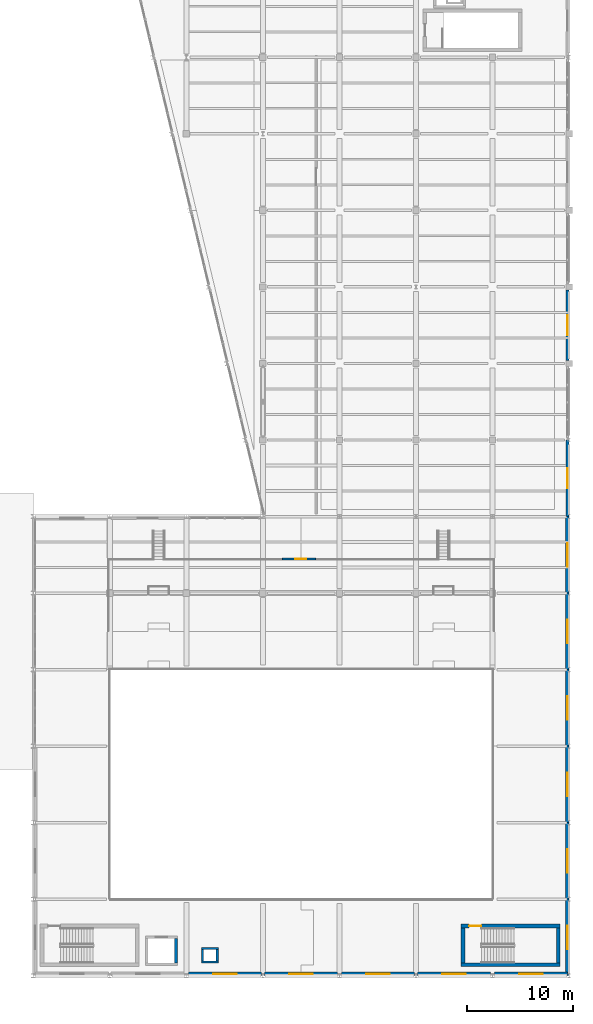
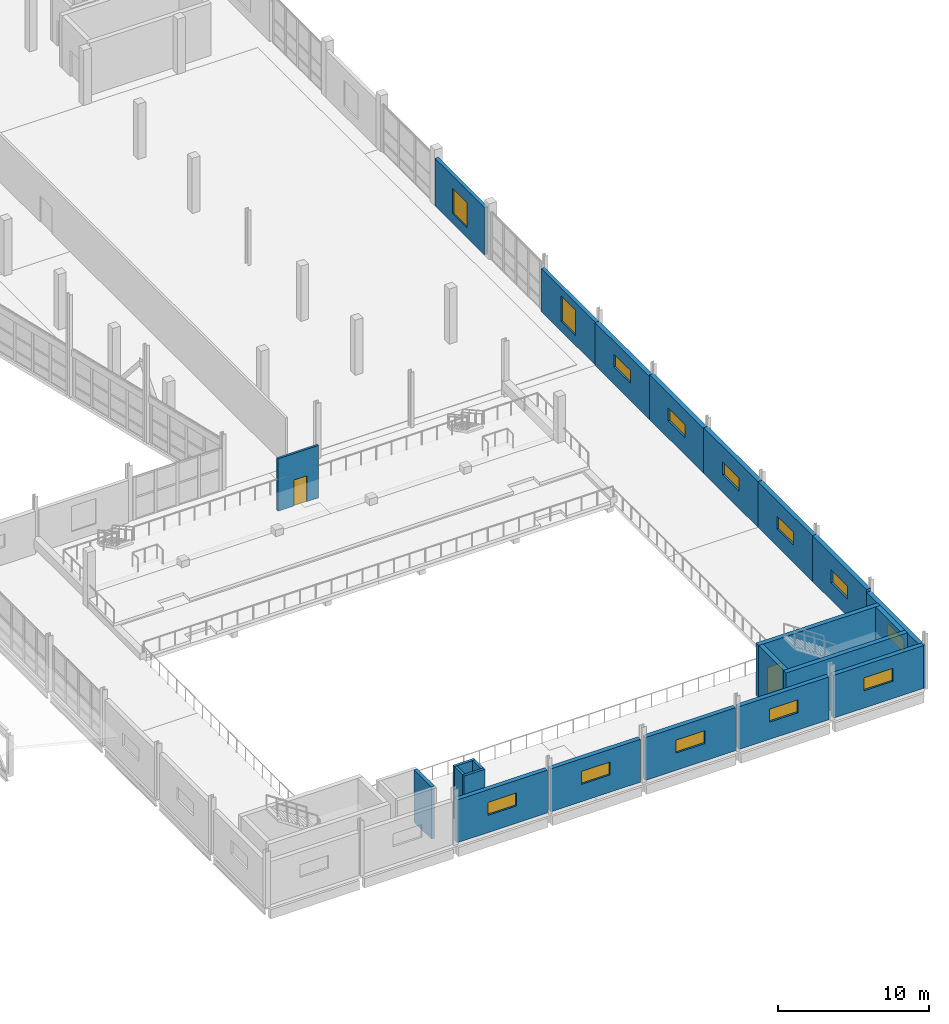
# One storey, part 97 of 123: 23 walls, 13 windows, 2 doors, 15 openings.
"""IFC4 building model written with IfcOpenShell, lengths in metres."""

from ifc_helpers import new_model, si_unit, direction, frame, frame_2d, origin, place, context, subcontext, project, spatial, rectangle, extrude, material, layer, layer_set, type_object, element, fill, save


model = new_model("IFC4")

# Units and contexts
model_context = context("Model", 3, precision=1e-05, world=origin(), true_north=direction((0.0, 1.0)))
body_context = subcontext(model_context, "Body", "Model", "MODEL_VIEW")
ifc_project = project(units=[si_unit("LENGTHUNIT", "METRE"), si_unit("AREAUNIT", "SQUARE_METRE"), si_unit("VOLUMEUNIT", "CUBIC_METRE"), si_unit("PLANEANGLEUNIT", "RADIAN"), si_unit("MASSUNIT", "GRAM", prefix="KILO")], contexts=[model_context])

# Site, building, storey
site_placement = place(None, origin())
site = spatial("IfcSite", under=ifc_project, at=site_placement, CompositionType="ELEMENT")
building_placement = place(site_placement, origin())
building = spatial("IfcBuilding", under=site, at=building_placement, Name="Kalmorath City Hall", CompositionType="ELEMENT")
storey_placement = place(building_placement, frame((0.0, 0.0, 10.199951171875)))
storey = spatial("IfcBuildingStorey", under=building, at=storey_placement, Name="L02", CompositionType="ELEMENT", Elevation=10.199951171875)

# Wall, opening, window
ifc_material_1 = material(Name="Precast concrete C40/50", Category="concrete")
ifc_layer_1 = layer(ifc_material_1, 0.340087890625)
ifc_layer_set_1 = layer_set([ifc_layer_1], Name="Precast concrete C40/50")
wall_type_1 = type_object("IfcWallType", Name="Chamber acoustic precast wall 340", PredefinedType="SOLIDWALL", material=ifc_layer_set_1)
wall_1_placement = place(storey_placement, frame((165.43994140625, 43.199951171875, 0.0), z_axis=(0.0, 0.0, 1.0), x_axis=(0.0, -1.0, 0.0)))
wall_1 = element("IfcWall", 1, at=wall_1_placement, inside=storey, type_object=wall_type_1, Name="L02 chamber acoustic wall #453", PredefinedType="SOLIDWALL", context=body_context, shape_type="SweptSolid", body=[
    extrude(rectangle(XDim=7.199951171875, YDim=0.340087890625, at=frame_2d((3.60009765625, 0.0))), origin(), (0.0, 0.0, 1.0), 3.470947265625),
])
opening_1_placement = place(wall_1_placement, frame((2.5, 0.0, 1.39990234375)))
opening_1 = element("IfcOpeningElement", 2, at=opening_1_placement, cuts=wall_1, Name="Opening WN12", PredefinedType="OPENING", context=body_context, shape_type="SweptSolid", body=[
    extrude(rectangle(XDim=2.199951171875, YDim=1.050048828125, at=frame_2d((1.10009765625, 0.52490234375))), frame((0.0, 0.179931640625, 0.0), z_axis=(0.0, -1.0, 0.0), x_axis=(1.0, 0.0, 0.0)), (0.0, 0.0, 1.0), 0.360107421875),
])
ifc_material_2 = material(Name="Acoustic laminated glass", Category="glass")
window_type_1 = type_object("IfcWindowType", Name="Chamber clerestory acoustic window 2200x1050", PartitioningType="SINGLE_PANEL", PredefinedType="WINDOW", material=ifc_material_2)
window_1_placement = place(opening_1_placement, origin())
window_1 = element("IfcWindow", 3, at=window_1_placement, inside=storey, type_object=window_type_1, Name="L02 window WN12-228", OverallHeight=1.050048828125, OverallWidth=2.199951171875, PartitioningType="SINGLE_PANEL", PredefinedType="WINDOW", context=body_context, shape_type="SweptSolid", body=[
    extrude(rectangle(XDim=2.199951171875, YDim=1.050048828125, at=frame_2d((1.10009765625, 0.52490234375))), frame((0.0, 0.030029296875, 0.0), z_axis=(0.0, -1.0, 0.0), x_axis=(1.0, 0.0, 0.0)), (0.0, 0.0, 1.0), 0.06005859375),
])
fill(opening_1, window_1)

wall_2_placement = place(storey_placement, frame((165.43994140625, 36.0, 0.0), z_axis=(0.0, 0.0, 1.0), x_axis=(0.0, -1.0, 0.0)))
wall_2 = element("IfcWall", 4, at=wall_2_placement, inside=storey, type_object=wall_type_1, Name="L02 chamber acoustic wall #454", PredefinedType="SOLIDWALL", context=body_context, shape_type="SweptSolid", body=[
    extrude(rectangle(XDim=7.199951171875, YDim=0.340087890625, at=frame_2d((3.60009765625, 0.0))), origin(), (0.0, 0.0, 1.0), 3.6181640625),
])
opening_2_placement = place(wall_2_placement, frame((2.5, 0.0, 1.39990234375)))
opening_2 = element("IfcOpeningElement", 5, at=opening_2_placement, cuts=wall_2, Name="Opening WN12", PredefinedType="OPENING", context=body_context, shape_type="SweptSolid", body=[
    extrude(rectangle(XDim=2.199951171875, YDim=1.050048828125, at=frame_2d((1.10009765625, 0.52490234375))), frame((0.0, 0.179931640625, 0.0), z_axis=(0.0, -1.0, 0.0), x_axis=(1.0, 0.0, 0.0)), (0.0, 0.0, 1.0), 0.360107421875),
])
window_2_placement = place(opening_2_placement, origin())
window_2 = element("IfcWindow", 6, at=window_2_placement, inside=storey, type_object=window_type_1, Name="L02 window WN12-229", OverallHeight=1.050048828125, OverallWidth=2.199951171875, PartitioningType="SINGLE_PANEL", PredefinedType="WINDOW", context=body_context, shape_type="SweptSolid", body=[
    extrude(rectangle(XDim=2.199951171875, YDim=1.050048828125, at=frame_2d((1.10009765625, 0.52490234375))), frame((0.0, 0.030029296875, 0.0), z_axis=(0.0, -1.0, 0.0), x_axis=(1.0, 0.0, 0.0)), (0.0, 0.0, 1.0), 0.06005859375),
])
fill(opening_2, window_2)

wall_3_placement = place(storey_placement, frame((165.43994140625, 28.800048828125, 0.0), z_axis=(0.0, 0.0, 1.0), x_axis=(0.0, -1.0, 0.0)))
wall_3 = element("IfcWall", 7, at=wall_3_placement, inside=storey, type_object=wall_type_1, Name="L02 chamber acoustic wall #455", PredefinedType="SOLIDWALL", context=body_context, shape_type="SweptSolid", body=[
    extrude(rectangle(XDim=7.199951171875, YDim=0.340087890625, at=frame_2d((3.60009765625, 0.0))), origin(), (0.0, 0.0, 1.0), 3.696044921875),
])
opening_3_placement = place(wall_3_placement, frame((2.5, 0.0, 1.39990234375)))
opening_3 = element("IfcOpeningElement", 8, at=opening_3_placement, cuts=wall_3, Name="Opening WN12", PredefinedType="OPENING", context=body_context, shape_type="SweptSolid", body=[
    extrude(rectangle(XDim=2.199951171875, YDim=1.050048828125, at=frame_2d((1.10009765625, 0.52490234375))), frame((0.0, 0.179931640625, 0.0), z_axis=(0.0, -1.0, 0.0), x_axis=(1.0, 0.0, 0.0)), (0.0, 0.0, 1.0), 0.360107421875),
])
window_3_placement = place(opening_3_placement, origin())
window_3 = element("IfcWindow", 9, at=window_3_placement, inside=storey, type_object=window_type_1, Name="L02 window WN12-230", OverallHeight=1.050048828125, OverallWidth=2.199951171875, PartitioningType="SINGLE_PANEL", PredefinedType="WINDOW", context=body_context, shape_type="SweptSolid", body=[
    extrude(rectangle(XDim=2.199951171875, YDim=1.050048828125, at=frame_2d((1.10009765625, 0.52490234375))), frame((0.0, 0.030029296875, 0.0), z_axis=(0.0, -1.0, 0.0), x_axis=(1.0, 0.0, 0.0)), (0.0, 0.0, 1.0), 0.06005859375),
])
fill(opening_3, window_3)

wall_4_placement = place(storey_placement, frame((165.43994140625, 21.60009765625, 0.0), z_axis=(0.0, 0.0, 1.0), x_axis=(0.0, -1.0, 0.0)))
wall_4 = element("IfcWall", 10, at=wall_4_placement, inside=storey, type_object=wall_type_1, Name="L02 chamber acoustic wall #456", PredefinedType="SOLIDWALL", context=body_context, shape_type="SweptSolid", body=[
    extrude(rectangle(XDim=7.2001953125, YDim=0.340087890625, at=frame_2d((3.60009765625, 0.0))), origin(), (0.0, 0.0, 1.0), 3.696044921875),
])
opening_4_placement = place(wall_4_placement, frame((2.5, 0.0, 1.39990234375)))
opening_4 = element("IfcOpeningElement", 11, at=opening_4_placement, cuts=wall_4, Name="Opening WN12", PredefinedType="OPENING", context=body_context, shape_type="SweptSolid", body=[
    extrude(rectangle(XDim=2.199951171875, YDim=1.050048828125, at=frame_2d((1.10009765625, 0.52490234375))), frame((0.0, 0.179931640625, 0.0), z_axis=(0.0, -1.0, 0.0), x_axis=(1.0, 0.0, 0.0)), (0.0, 0.0, 1.0), 0.360107421875),
])
window_4_placement = place(opening_4_placement, origin())
window_4 = element("IfcWindow", 12, at=window_4_placement, inside=storey, type_object=window_type_1, Name="L02 window WN12-231", OverallHeight=1.050048828125, OverallWidth=2.199951171875, PartitioningType="SINGLE_PANEL", PredefinedType="WINDOW", context=body_context, shape_type="SweptSolid", body=[
    extrude(rectangle(XDim=2.199951171875, YDim=1.050048828125, at=frame_2d((1.10009765625, 0.52490234375))), frame((0.0, 0.030029296875, 0.0), z_axis=(0.0, -1.0, 0.0), x_axis=(1.0, 0.0, 0.0)), (0.0, 0.0, 1.0), 0.06005859375),
])
fill(opening_4, window_4)

wall_5_placement = place(storey_placement, frame((165.43994140625, 14.39990234375, 0.0), z_axis=(0.0, 0.0, 1.0), x_axis=(0.0, -1.0, 0.0)))
wall_5 = element("IfcWall", 13, at=wall_5_placement, inside=storey, type_object=wall_type_1, Name="L02 chamber acoustic wall #457", PredefinedType="SOLIDWALL", context=body_context, shape_type="SweptSolid", body=[
    extrude(rectangle(XDim=7.199951171875, YDim=0.340087890625, at=frame_2d((3.60009765625, 0.0))), origin(), (0.0, 0.0, 1.0), 3.696044921875),
])
opening_5_placement = place(wall_5_placement, frame((2.5, 0.0, 1.39990234375)))
opening_5 = element("IfcOpeningElement", 14, at=opening_5_placement, cuts=wall_5, Name="Opening WN12", PredefinedType="OPENING", context=body_context, shape_type="SweptSolid", body=[
    extrude(rectangle(XDim=2.199951171875, YDim=1.050048828125, at=frame_2d((1.10009765625, 0.52490234375))), frame((0.0, 0.179931640625, 0.0), z_axis=(0.0, -1.0, 0.0), x_axis=(1.0, 0.0, 0.0)), (0.0, 0.0, 1.0), 0.360107421875),
])
window_5_placement = place(opening_5_placement, origin())
window_5 = element("IfcWindow", 15, at=window_5_placement, inside=storey, type_object=window_type_1, Name="L02 window WN12-232", OverallHeight=1.050048828125, OverallWidth=2.199951171875, PartitioningType="SINGLE_PANEL", PredefinedType="WINDOW", context=body_context, shape_type="SweptSolid", body=[
    extrude(rectangle(XDim=2.199951171875, YDim=1.050048828125, at=frame_2d((1.10009765625, 0.52490234375))), frame((0.0, 0.030029296875, 0.0), z_axis=(0.0, -1.0, 0.0), x_axis=(1.0, 0.0, 0.0)), (0.0, 0.0, 1.0), 0.06005859375),
])
fill(opening_5, window_5)

wall_6_placement = place(storey_placement, frame((165.43994140625, 7.199951171875, 0.0), z_axis=(0.0, 0.0, 1.0), x_axis=(0.0, -1.0, 0.0)))
wall_6 = element("IfcWall", 16, at=wall_6_placement, inside=storey, type_object=wall_type_1, Name="L02 chamber acoustic wall #458", PredefinedType="SOLIDWALL", context=body_context, shape_type="SweptSolid", body=[
    extrude(rectangle(XDim=7.199951171875, YDim=0.340087890625, at=frame_2d((3.60009765625, 0.0))), origin(), (0.0, 0.0, 1.0), 3.470947265625),
])
opening_6_placement = place(wall_6_placement, frame((2.5, 0.0, 1.39990234375)))
opening_6 = element("IfcOpeningElement", 17, at=opening_6_placement, cuts=wall_6, Name="Opening WN12", PredefinedType="OPENING", context=body_context, shape_type="SweptSolid", body=[
    extrude(rectangle(XDim=2.199951171875, YDim=1.050048828125, at=frame_2d((1.10009765625, 0.52490234375))), frame((0.0, 0.179931640625, 0.0), z_axis=(0.0, -1.0, 0.0), x_axis=(1.0, 0.0, 0.0)), (0.0, 0.0, 1.0), 0.360107421875),
])
window_6_placement = place(opening_6_placement, origin())
window_6 = element("IfcWindow", 18, at=window_6_placement, inside=storey, type_object=window_type_1, Name="L02 window WN12-233", OverallHeight=1.050048828125, OverallWidth=2.199951171875, PartitioningType="SINGLE_PANEL", PredefinedType="WINDOW", context=body_context, shape_type="SweptSolid", body=[
    extrude(rectangle(XDim=2.199951171875, YDim=1.050048828125, at=frame_2d((1.10009765625, 0.52490234375))), frame((0.0, 0.030029296875, 0.0), z_axis=(0.0, -1.0, 0.0), x_axis=(1.0, 0.0, 0.0)), (0.0, 0.0, 1.0), 0.06005859375),
])
fill(opening_6, window_6)

wall_7_placement = place(storey_placement, frame((165.470947265625, 0.159912109375, 0.0), z_axis=(0.0, 0.0, 1.0), x_axis=(-1.0, 0.0, 0.0)))
wall_7 = element("IfcWall", 19, at=wall_7_placement, inside=storey, type_object=wall_type_1, Name="L02 chamber acoustic wall #459", PredefinedType="SOLIDWALL", context=body_context, shape_type="SweptSolid", body=[
    extrude(rectangle(XDim=6.885498046875, YDim=0.340087890625, at=frame_2d((3.44287109375, 0.0))), origin(), (0.0, 0.0, 1.0), 3.470947265625),
])
opening_7_placement = place(wall_7_placement, frame((2.3427734375, 0.0, 1.39990234375)))
opening_7 = element("IfcOpeningElement", 20, at=opening_7_placement, cuts=wall_7, Name="Opening WN12", PredefinedType="OPENING", context=body_context, shape_type="SweptSolid", body=[
    extrude(rectangle(XDim=2.199951171875, YDim=1.050048828125, at=frame_2d((1.10009765625, 0.52490234375))), frame((0.0, 0.179931640625, 0.0), z_axis=(0.0, -1.0, 0.0), x_axis=(1.0, 0.0, 0.0)), (0.0, 0.0, 1.0), 0.360107421875),
])
window_7_placement = place(opening_7_placement, origin())
window_7 = element("IfcWindow", 21, at=window_7_placement, inside=storey, type_object=window_type_1, Name="L02 window WN12-234", OverallHeight=1.050048828125, OverallWidth=2.199951171875, PartitioningType="SINGLE_PANEL", PredefinedType="WINDOW", context=body_context, shape_type="SweptSolid", body=[
    extrude(rectangle(XDim=2.199951171875, YDim=1.050048828125, at=frame_2d((1.10009765625, 0.52490234375))), frame((0.0, 0.030029296875, 0.0), z_axis=(0.0, -1.0, 0.0), x_axis=(1.0, 0.0, 0.0)), (0.0, 0.0, 1.0), 0.06005859375),
])
fill(opening_7, window_7)

wall_8_placement = place(storey_placement, frame((158.214599609375, 0.159912109375, 0.0), z_axis=(0.0, 0.0, 1.0), x_axis=(-1.0, 0.0, 0.0)))
wall_8 = element("IfcWall", 22, at=wall_8_placement, inside=storey, type_object=wall_type_1, Name="L02 chamber acoustic wall #460", PredefinedType="SOLIDWALL", context=body_context, shape_type="SweptSolid", body=[
    extrude(rectangle(XDim=6.885498046875, YDim=0.340087890625, at=frame_2d((3.44287109375, 0.0))), origin(), (0.0, 0.0, 1.0), 3.470947265625),
])
opening_8_placement = place(wall_8_placement, frame((2.3427734375, 0.0, 1.39990234375)))
opening_8 = element("IfcOpeningElement", 23, at=opening_8_placement, cuts=wall_8, Name="Opening WN12", PredefinedType="OPENING", context=body_context, shape_type="SweptSolid", body=[
    extrude(rectangle(XDim=2.199951171875, YDim=1.050048828125, at=frame_2d((1.10009765625, 0.52490234375))), frame((0.0, 0.179931640625, 0.0), z_axis=(0.0, -1.0, 0.0), x_axis=(1.0, 0.0, 0.0)), (0.0, 0.0, 1.0), 0.360107421875),
])
window_8_placement = place(opening_8_placement, origin())
window_8 = element("IfcWindow", 24, at=window_8_placement, inside=storey, type_object=window_type_1, Name="L02 window WN12-235", OverallHeight=1.050048828125, OverallWidth=2.199951171875, PartitioningType="SINGLE_PANEL", PredefinedType="WINDOW", context=body_context, shape_type="SweptSolid", body=[
    extrude(rectangle(XDim=2.199951171875, YDim=1.050048828125, at=frame_2d((1.10009765625, 0.52490234375))), frame((0.0, 0.030029296875, 0.0), z_axis=(0.0, -1.0, 0.0), x_axis=(1.0, 0.0, 0.0)), (0.0, 0.0, 1.0), 0.06005859375),
])
fill(opening_8, window_8)

wall_9_placement = place(storey_placement, frame((151.071044921875, 0.159912109375, 0.0), z_axis=(0.0, 0.0, 1.0), x_axis=(-1.0, 0.0, 0.0)))
wall_9 = element("IfcWall", 25, at=wall_9_placement, inside=storey, type_object=wall_type_1, Name="L02 chamber acoustic wall #461", PredefinedType="SOLIDWALL", context=body_context, shape_type="SweptSolid", body=[
    extrude(rectangle(XDim=6.885498046875, YDim=0.340087890625, at=frame_2d((3.44287109375, 0.0))), origin(), (0.0, 0.0, 1.0), 3.470947265625),
])
opening_9_placement = place(wall_9_placement, frame((2.3427734375, 0.0, 1.39990234375)))
opening_9 = element("IfcOpeningElement", 26, at=opening_9_placement, cuts=wall_9, Name="Opening WN12", PredefinedType="OPENING", context=body_context, shape_type="SweptSolid", body=[
    extrude(rectangle(XDim=2.199951171875, YDim=1.050048828125, at=frame_2d((1.10009765625, 0.52490234375))), frame((0.0, 0.179931640625, 0.0), z_axis=(0.0, -1.0, 0.0), x_axis=(1.0, 0.0, 0.0)), (0.0, 0.0, 1.0), 0.360107421875),
])
window_9_placement = place(opening_9_placement, origin())
window_9 = element("IfcWindow", 27, at=window_9_placement, inside=storey, type_object=window_type_1, Name="L02 window WN12-236", OverallHeight=1.050048828125, OverallWidth=2.199951171875, PartitioningType="SINGLE_PANEL", PredefinedType="WINDOW", context=body_context, shape_type="SweptSolid", body=[
    extrude(rectangle(XDim=2.199951171875, YDim=1.050048828125, at=frame_2d((1.10009765625, 0.52490234375))), frame((0.0, 0.030029296875, 0.0), z_axis=(0.0, -1.0, 0.0), x_axis=(1.0, 0.0, 0.0)), (0.0, 0.0, 1.0), 0.06005859375),
])
fill(opening_9, window_9)

wall_10_placement = place(storey_placement, frame((143.814453125, 0.159912109375, 0.0), z_axis=(0.0, 0.0, 1.0), x_axis=(-1.0, 0.0, 0.0)))
wall_10 = element("IfcWall", 28, at=wall_10_placement, inside=storey, type_object=wall_type_1, Name="L02 chamber acoustic wall #462", PredefinedType="SOLIDWALL", context=body_context, shape_type="SweptSolid", body=[
    extrude(rectangle(XDim=6.885498046875, YDim=0.340087890625, at=frame_2d((3.44287109375, 0.0))), origin(), (0.0, 0.0, 1.0), 3.470947265625),
])
opening_10_placement = place(wall_10_placement, frame((2.3427734375, 0.0, 1.39990234375)))
opening_10 = element("IfcOpeningElement", 29, at=opening_10_placement, cuts=wall_10, Name="Opening WN12", PredefinedType="OPENING", context=body_context, shape_type="SweptSolid", body=[
    extrude(rectangle(XDim=2.199951171875, YDim=1.050048828125, at=frame_2d((1.10009765625, 0.52490234375))), frame((0.0, 0.179931640625, 0.0), z_axis=(0.0, -1.0, 0.0), x_axis=(1.0, 0.0, 0.0)), (0.0, 0.0, 1.0), 0.360107421875),
])
window_10_placement = place(opening_10_placement, origin())
window_10 = element("IfcWindow", 30, at=window_10_placement, inside=storey, type_object=window_type_1, Name="L02 window WN12-237", OverallHeight=1.050048828125, OverallWidth=2.199951171875, PartitioningType="SINGLE_PANEL", PredefinedType="WINDOW", context=body_context, shape_type="SweptSolid", body=[
    extrude(rectangle(XDim=2.199951171875, YDim=1.050048828125, at=frame_2d((1.10009765625, 0.52490234375))), frame((0.0, 0.030029296875, 0.0), z_axis=(0.0, -1.0, 0.0), x_axis=(1.0, 0.0, 0.0)), (0.0, 0.0, 1.0), 0.06005859375),
])
fill(opening_10, window_10)

wall_11_placement = place(storey_placement, frame((136.6708984375, 0.159912109375, 0.0), z_axis=(0.0, 0.0, 1.0), x_axis=(-1.0, 0.0, 0.0)))
wall_11 = element("IfcWall", 31, at=wall_11_placement, inside=storey, type_object=wall_type_1, Name="L02 chamber acoustic wall #463", PredefinedType="SOLIDWALL", context=body_context, shape_type="SweptSolid", body=[
    extrude(rectangle(XDim=6.885498046875, YDim=0.340087890625, at=frame_2d((3.44287109375, 0.0))), origin(), (0.0, 0.0, 1.0), 3.470947265625),
])
opening_11_placement = place(wall_11_placement, frame((2.3427734375, 0.0, 1.39990234375)))
opening_11 = element("IfcOpeningElement", 32, at=opening_11_placement, cuts=wall_11, Name="Opening WN12", PredefinedType="OPENING", context=body_context, shape_type="SweptSolid", body=[
    extrude(rectangle(XDim=2.199951171875, YDim=1.050048828125, at=frame_2d((1.10009765625, 0.52490234375))), frame((0.0, 0.179931640625, 0.0), z_axis=(0.0, -1.0, 0.0), x_axis=(1.0, 0.0, 0.0)), (0.0, 0.0, 1.0), 0.360107421875),
])
window_11_placement = place(opening_11_placement, origin())
window_11 = element("IfcWindow", 33, at=window_11_placement, inside=storey, type_object=window_type_1, Name="L02 window WN12-238", OverallHeight=1.050048828125, OverallWidth=2.199951171875, PartitioningType="SINGLE_PANEL", PredefinedType="WINDOW", context=body_context, shape_type="SweptSolid", body=[
    extrude(rectangle(XDim=2.199951171875, YDim=1.050048828125, at=frame_2d((1.10009765625, 0.52490234375))), frame((0.0, 0.030029296875, 0.0), z_axis=(0.0, -1.0, 0.0), x_axis=(1.0, 0.0, 0.0)), (0.0, 0.0, 1.0), 0.06005859375),
])
fill(opening_11, window_11)

# Wall, opening, door
ifc_material_3 = material(Name="High-STC double-stud acoustic partition")
ifc_layer_2 = layer(ifc_material_3, 0.1650390625)
ifc_layer_set_2 = layer_set([ifc_layer_2], Name="High-STC double-stud acoustic partition")
wall_type_2 = type_object("IfcWallType", Name="Chamber and committee acoustic partition 165", PredefinedType="PARTITIONING", material=ifc_layer_set_2)
wall_12_placement = place(storey_placement, frame((138.639892578125, 39.199951171875, 0.0), z_axis=(0.0, 0.0, 1.0), x_axis=(1.0, 0.0, 0.0)))
wall_12 = element("IfcWall", 34, at=wall_12_placement, inside=storey, type_object=wall_type_2, Name="L02 interior partition PW3 #119", PredefinedType="PARTITIONING", context=body_context, shape_type="SweptSolid", body=[
    extrude(rectangle(XDim=3.1201171875, YDim=0.1650390625, at=frame_2d((1.56005859375, 0.0))), origin(), (0.0, 0.0, 1.0), 4.239990234375),
])
opening_12_placement = place(wall_12_placement, frame((1.219970703125, 0.0, 0.0)))
opening_12 = element("IfcOpeningElement", 35, at=opening_12_placement, cuts=wall_12, Name="Opening D-L02-197", PredefinedType="OPENING", context=body_context, shape_type="SweptSolid", body=[
    extrude(rectangle(XDim=1.0, YDim=2.10009765625, at=frame_2d((0.5, 1.050048828125))), frame((0.0, 0.092529296875, 0.0), z_axis=(0.0, -1.0, 0.0), x_axis=(1.0, 0.0, 0.0)), (0.0, 0.0, 1.0), 0.18505859375),
])
ifc_material_4 = material(Name="Hardwood fire door", Category="wood")
door_type_1 = type_object("IfcDoorType", Name="Corridor 60-min fire door 1000x2100", OperationType="NOTDEFINED", PredefinedType="DOOR", material=ifc_material_4)
door_1_placement = place(opening_12_placement, origin())
door_1 = element("IfcDoor", 36, at=door_1_placement, inside=storey, type_object=door_type_1, Name="L02 door D-L02-197", OperationType="SINGLE_SWING_LEFT", OverallHeight=2.10009765625, OverallWidth=1.0, PredefinedType="DOOR", context=body_context, shape_type="SweptSolid", body=[
    extrude(rectangle(XDim=1.0, YDim=2.10009765625, at=frame_2d((0.5, 1.050048828125))), frame((0.0, 0.02490234375, 0.0), z_axis=(0.0, -1.0, 0.0), x_axis=(1.0, 0.0, 0.0)), (0.0, 0.0, 1.0), 0.050048828125),
])
fill(opening_12, door_1)

# Wall
ifc_material_5 = material(Name="Concrete C50/60", Category="concrete")
ifc_layer_3 = layer(ifc_material_5, 0.35009765625)
ifc_layer_set_3 = layer_set([ifc_layer_3], Name="Concrete C50/60")
wall_type_3 = type_object("IfcWallType", Name="Concrete core shear wall 350", PredefinedType="SHEAR", material=ifc_layer_set_3)
wall_13_placement = place(storey_placement, frame((155.449951171875, 1.02490234375, 0.0), z_axis=(0.0, 0.0, 1.0), x_axis=(1.0, 0.0, 0.0)))
element("IfcWall", 37, at=wall_13_placement, inside=storey, type_object=wall_type_3, Name="L02 C7 stair core shear wall S", PredefinedType="SHEAR", context=body_context, shape_type="SweptSolid", body=[
    extrude(rectangle(XDim=9.300048828125, YDim=0.35009765625, at=frame_2d((4.64990234375, 0.0))), origin(), (0.0, 0.0, 1.0), 4.239990234375),
])

# Wall, opening, door
wall_14_placement = place(storey_placement, frame((164.75, 4.675048828125, 0.0), z_axis=(0.0, 0.0, 1.0), x_axis=(-1.0, 0.0, 0.0)))
wall_14 = element("IfcWall", 38, at=wall_14_placement, inside=storey, type_object=wall_type_3, Name="L02 C7 stair core shear wall N", PredefinedType="SHEAR", context=body_context, shape_type="SweptSolid", body=[
    extrude(rectangle(XDim=9.300048828125, YDim=0.35009765625, at=frame_2d((4.64990234375, 0.0))), origin(), (0.0, 0.0, 1.0), 4.239990234375),
])
opening_13_placement = place(wall_14_placement, frame((7.39990234375, 0.0, 0.0)))
opening_13 = element("IfcOpeningElement", 39, at=opening_13_placement, cuts=wall_14, Name="Opening D-L02-106", PredefinedType="OPENING", context=body_context, shape_type="SweptSolid", body=[
    extrude(rectangle(XDim=1.14990234375, YDim=2.10009765625, at=frame_2d((0.574951171875, 1.050048828125))), frame((0.0, 0.18505859375, 0.0), z_axis=(0.0, -1.0, 0.0), x_axis=(1.0, 0.0, 0.0)), (0.0, 0.0, 1.0), 0.3701171875),
])
ifc_material_6 = material(Name="Galvanised steel fire door", Category="steel")
door_type_2 = type_object("IfcDoorType", Name="Stair enclosure 90-min fire door 1150x2100", OperationType="NOTDEFINED", PredefinedType="DOOR", material=ifc_material_6)
door_2_placement = place(opening_13_placement, frame((1.14990234375, 0.0, 0.0), z_axis=(0.0, 0.0, 1.0), x_axis=(-1.0, 0.0, 0.0)))
door_2 = element("IfcDoor", 40, at=door_2_placement, inside=storey, type_object=door_type_2, Name="L02 door D-L02-106", OperationType="SINGLE_SWING_RIGHT", OverallHeight=2.10009765625, OverallWidth=1.14990234375, PredefinedType="DOOR", context=body_context, shape_type="SweptSolid", body=[
    extrude(rectangle(XDim=1.14990234375, YDim=2.10009765625, at=frame_2d((0.574951171875, 1.050048828125))), frame((0.0, 0.02490234375, 0.0), z_axis=(0.0, -1.0, 0.0), x_axis=(1.0, 0.0, 0.0)), (0.0, 0.0, 1.0), 0.050048828125),
])
fill(opening_13, door_2)

# Walls
for number, where, z_axis, x_axis, name in (
    (41, (155.625, 4.5, 0.0), (0.0, 0.0, 1.0), (0.0, -1.0, 0.0), "L02 C7 stair core shear wall W"),
    (42, (164.574951171875, 1.199951171875, 0.0), (0.0, 0.0, 1.0), (0.0, 1.0, 0.0), "L02 C7 stair core shear wall E"),
):
    element("IfcWall", number, at=place(storey_placement, frame(where, z_axis=z_axis, x_axis=x_axis)), inside=storey, type_object=wall_type_3, Name=name, PredefinedType="SHEAR", context=body_context, shape_type="SweptSolid", body=[
        extrude(rectangle(XDim=3.300048828125, YDim=0.35009765625, at=frame_2d((1.64990234375, 0.0))), origin(), (0.0, 0.0, 1.0), 4.239990234375),
    ])
ifc_material_7 = material(Name="Concrete C50/60", Category="concrete")
ifc_layer_4 = layer(ifc_material_7, 0.25)
ifc_layer_set_4 = layer_set([ifc_layer_4], Name="Concrete C50/60")
wall_type_4 = type_object("IfcWallType", Name="Concrete lift shaft wall 250", PredefinedType="SHEAR", material=ifc_layer_set_4)
wall_15_placement = place(storey_placement, frame((128.625, 1.199951171875, 0.0), z_axis=(0.0, 0.0, 1.0), x_axis=(0.0, 1.0, 0.0)))
element("IfcWall", 43, at=wall_15_placement, inside=storey, type_object=wall_type_4, Name="L02 PL5 lift shaft wall +x", PredefinedType="SHEAR", context=body_context, shape_type="SweptSolid", body=[
    extrude(rectangle(XDim=2.300048828125, YDim=0.25, at=frame_2d((1.14990234375, 0.0))), origin(), (0.0, 0.0, 1.0), 4.239990234375),
])
ifc_material_8 = material(Name="Concrete C40/50", Category="concrete")
ifc_layer_5 = layer(ifc_material_8, 0.199951171875)
ifc_layer_set_5 = layer_set([ifc_layer_5], Name="Concrete C40/50")
wall_type_5 = type_object("IfcWallType", Name="Concrete service riser wall 200", PredefinedType="SOLIDWALL", material=ifc_layer_set_5)
for number, where, z_axis, x_axis, name in (
    (44, (131.0, 1.300048828125, 0.0), (0.0, 0.0, 1.0), (1.0, 0.0, 0.0), "L02 RSR-3 riser shaft wall S"),
    (45, (132.60009765625, 2.580078125, 0.0), (0.0, 0.0, 1.0), (-1.0, 0.0, 0.0), "L02 RSR-3 riser shaft wall N"),
):
    element("IfcWall", number, at=place(storey_placement, frame(where, z_axis=z_axis, x_axis=x_axis)), inside=storey, type_object=wall_type_5, Name=name, PredefinedType="SOLIDWALL", context=body_context, shape_type="SweptSolid", body=[
        extrude(rectangle(XDim=1.60009765625, YDim=0.199951171875, at=frame_2d((0.800048828125, 0.0))), origin(), (0.0, 0.0, 1.0), 4.239990234375),
    ])
for number, where, z_axis, x_axis, name in (
    (46, (131.10009765625, 2.47998046875, 0.0), (0.0, 0.0, 1.0), (0.0, -1.0, 0.0), "L02 RSR-3 riser shaft wall W"),
    (47, (132.5, 1.39990234375, 0.0), (0.0, 0.0, 1.0), (0.0, 1.0, 0.0), "L02 RSR-3 riser shaft wall E"),
):
    element("IfcWall", number, at=place(storey_placement, frame(where, z_axis=z_axis, x_axis=x_axis)), inside=storey, type_object=wall_type_5, Name=name, PredefinedType="SOLIDWALL", context=body_context, shape_type="SweptSolid", body=[
        extrude(rectangle(XDim=1.080078125, YDim=0.199951171875, at=frame_2d((0.5400390625, 0.0))), origin(), (0.0, 0.0, 1.0), 4.239990234375),
    ])

# Wall, opening, window
ifc_material_9 = material(Name="Precast concrete C40/50", Category="concrete")
ifc_layer_6 = layer(ifc_material_9, 0.27001953125)
ifc_layer_set_6 = layer_set([ifc_layer_6], Name="Precast concrete C40/50")
wall_type_6 = type_object("IfcWallType", Name="Library splayed facade wall 270", PredefinedType="SOLIDWALL", material=ifc_layer_set_6)
wall_16_placement = place(storey_placement, frame((165.43994140625, 64.4990234375, 0.0), z_axis=(0.0, 0.0, 1.0), x_axis=(0.0, -1.0, 0.0)))
wall_16 = element("IfcWall", 48, at=wall_16_placement, inside=storey, type_object=wall_type_6, Name="L02 library wall #451", PredefinedType="SOLIDWALL", context=body_context, shape_type="SweptSolid", body=[
    extrude(rectangle(XDim=6.59814453125, YDim=0.27001953125, at=frame_2d((3.299072265625, 0.0))), origin(), (0.0, 0.0, 1.0), 3.8349609375),
])
opening_14_placement = place(wall_16_placement, frame((2.34912109375, 0.0, 0.800048828125)))
opening_14 = element("IfcOpeningElement", 49, at=opening_14_placement, cuts=wall_16, Name="Opening WN14", PredefinedType="OPENING", context=body_context, shape_type="SweptSolid", body=[
    extrude(rectangle(XDim=1.89990234375, YDim=2.050048828125, at=frame_2d((0.949951171875, 1.02490234375))), frame((0.0, 0.14501953125, 0.0), z_axis=(0.0, -1.0, 0.0), x_axis=(1.0, 0.0, 0.0)), (0.0, 0.0, 1.0), 0.2900390625),
])
ifc_material_10 = material(Name="Bronze-anodised aluminium and glass", Category="aluminium")
window_type_2 = type_object("IfcWindowType", Name="Library reading alcove window 1900x2050", PartitioningType="SINGLE_PANEL", PredefinedType="WINDOW", material=ifc_material_10)
window_12_placement = place(opening_14_placement, origin())
window_12 = element("IfcWindow", 50, at=window_12_placement, inside=storey, type_object=window_type_2, Name="L02 window WN14-226", OverallHeight=2.050048828125, OverallWidth=1.89990234375, PartitioningType="SINGLE_PANEL", PredefinedType="WINDOW", context=body_context, shape_type="SweptSolid", body=[
    extrude(rectangle(XDim=1.89990234375, YDim=2.050048828125, at=frame_2d((0.949951171875, 1.02490234375))), frame((0.0, 0.030029296875, 0.0), z_axis=(0.0, -1.0, 0.0), x_axis=(1.0, 0.0, 0.0)), (0.0, 0.0, 1.0), 0.06005859375),
])
fill(opening_14, window_12)

wall_17_placement = place(storey_placement, frame((165.43994140625, 50.39990234375, 0.0), z_axis=(0.0, 0.0, 1.0), x_axis=(0.0, -1.0, 0.0)))
wall_17 = element("IfcWall", 51, at=wall_17_placement, inside=storey, type_object=wall_type_6, Name="L02 library wall #452", PredefinedType="SOLIDWALL", context=body_context, shape_type="SweptSolid", body=[
    extrude(rectangle(XDim=7.199951171875, YDim=0.27001953125, at=frame_2d((3.60009765625, 0.0))), origin(), (0.0, 0.0, 1.0), 3.470947265625),
])
opening_15_placement = place(wall_17_placement, frame((2.64990234375, 0.0, 0.800048828125)))
opening_15 = element("IfcOpeningElement", 52, at=opening_15_placement, cuts=wall_17, Name="Opening WN14", PredefinedType="OPENING", context=body_context, shape_type="SweptSolid", body=[
    extrude(rectangle(XDim=1.89990234375, YDim=2.050048828125, at=frame_2d((0.949951171875, 1.02490234375))), frame((0.0, 0.14501953125, 0.0), z_axis=(0.0, -1.0, 0.0), x_axis=(1.0, 0.0, 0.0)), (0.0, 0.0, 1.0), 0.2900390625),
])
window_13_placement = place(opening_15_placement, origin())
window_13 = element("IfcWindow", 53, at=window_13_placement, inside=storey, type_object=window_type_2, Name="L02 window WN14-227", OverallHeight=2.050048828125, OverallWidth=1.89990234375, PartitioningType="SINGLE_PANEL", PredefinedType="WINDOW", context=body_context, shape_type="SweptSolid", body=[
    extrude(rectangle(XDim=1.89990234375, YDim=2.050048828125, at=frame_2d((0.949951171875, 1.02490234375))), frame((0.0, 0.030029296875, 0.0), z_axis=(0.0, -1.0, 0.0), x_axis=(1.0, 0.0, 0.0)), (0.0, 0.0, 1.0), 0.06005859375),
])
fill(opening_15, window_13)

save(model, "model.ifc")
